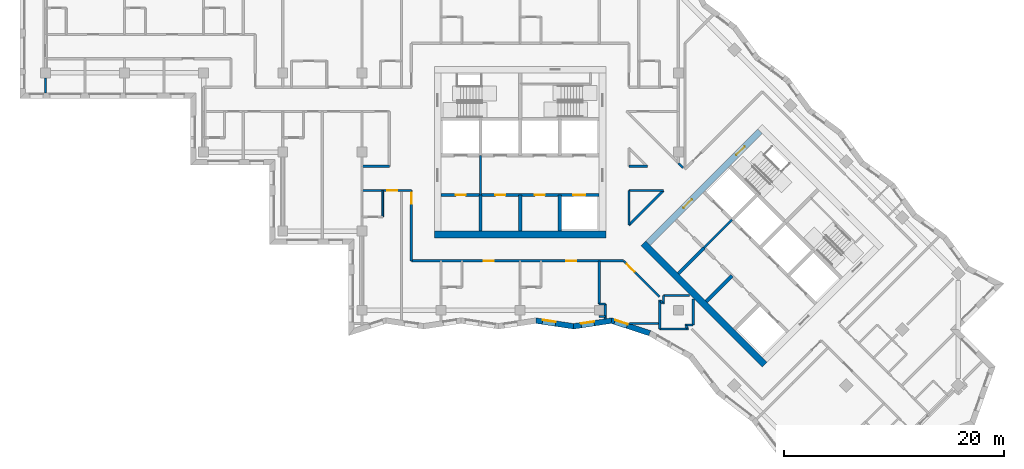
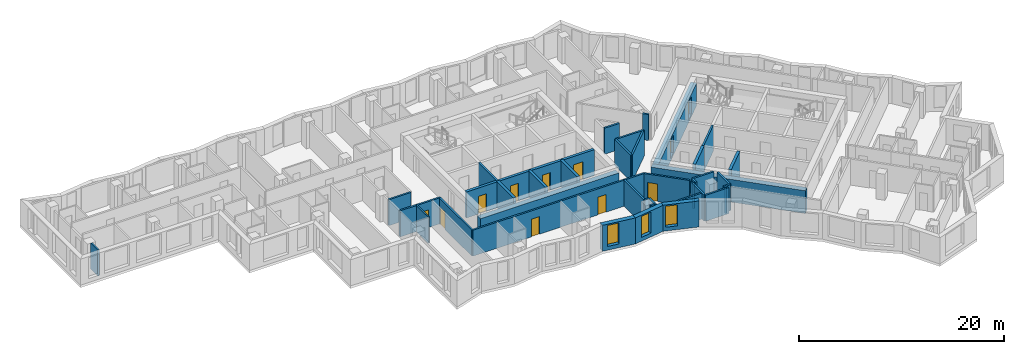
# One storey, part 3 of 12: 39 walls, 11 doors, 3 windows, 14 openings.
"""IFC4 building model written with IfcOpenShell, lengths in metres."""

from ifc_helpers import new_model, si_unit, direction, frame, frame_2d, origin, place, context, subcontext, project, spatial, polyline, rectangle, outline, extrude, material, layer, layer_set, type_object, element, fill, save


model = new_model("IFC4")

# Units and contexts
model_context = context("Model", 3, precision=1e-05, world=origin(), true_north=direction((0.0, 1.0)))
body_context = subcontext(model_context, "Body", "Model", "MODEL_VIEW")
ifc_project = project(units=[si_unit("LENGTHUNIT", "METRE"), si_unit("AREAUNIT", "SQUARE_METRE"), si_unit("VOLUMEUNIT", "CUBIC_METRE"), si_unit("PLANEANGLEUNIT", "RADIAN"), si_unit("MASSUNIT", "GRAM", prefix="KILO")], contexts=[model_context])

# Site, building, storey
site_placement = place(None, origin())
site = spatial("IfcSite", under=ifc_project, at=site_placement, CompositionType="ELEMENT")
building_placement = place(site_placement, origin())
building = spatial("IfcBuilding", under=site, at=building_placement, Name="Windrow Commons", CompositionType="ELEMENT")
storey_placement = place(building_placement, frame((0.0, 0.0, 159.2)))
storey = spatial("IfcBuildingStorey", under=building, at=storey_placement, Name="L43", CompositionType="ELEMENT", Elevation=159.2)

# Wall, opening, window
ifc_material_1 = material(Name="Brick masonry, red clay brick", Category="masonry")
ifc_layer_1 = layer(ifc_material_1, 0.5)
ifc_layer_set_1 = layer_set([ifc_layer_1], Name="Brick facade wall 500")
wall_type_1 = type_object("IfcWallType", Name="Brick facade wall 500", PredefinedType="SOLIDWALL", material=ifc_layer_set_1)
wall_1_placement = place(storey_placement, frame((66.2596, 42.2528, 0.0), z_axis=(0.0, 0.0, 1.0), x_axis=(0.9889272091, -0.1484013984, 0.0)))
wall_1 = element("IfcWall", 1, at=wall_1_placement, inside=storey, type_object=wall_type_1, Name="Brick facade wall L43 47", PredefinedType="SOLIDWALL", context=body_context, shape_type="SweptSolid", body=[
    extrude(outline(polyline([(0.0375, -0.25), (3.4876, -0.25), (3.4126, 0.25), (-0.0375, 0.25), (0.0375, -0.25)])), origin(), (0.0, 0.0, 1.0), 3.1),
])
opening_1_placement = place(wall_1_placement, frame((0.5822, 0.0, 0.45)))
opening_1 = element("IfcOpeningElement", 2, at=opening_1_placement, cuts=wall_1, Name="Opening W7E", PredefinedType="OPENING", context=body_context, shape_type="SweptSolid", body=[
    extrude(rectangle(XDim=1.2, YDim=2.5, at=frame_2d((0.6, 1.25))), frame((0.0, 0.26, 0.0), z_axis=(0.0, -1.0, 0.0), x_axis=(1.0, 0.0, 0.0)), (0.0, 0.0, 1.0), 0.52),
])
ifc_material_2 = material(Name="Clear float glass in anodised aluminium frame", Category="aluminium")
window_type = type_object("IfcWindowType", Name="Window W7 notch 1200x2500", PartitioningType="SINGLE_PANEL", PredefinedType="WINDOW", material=ifc_material_2)
window_1_placement = place(opening_1_placement, origin())
window_1 = element("IfcWindow", 3, at=window_1_placement, inside=storey, type_object=window_type, Name="Window L43 47.1", OverallHeight=2.5, OverallWidth=1.2, PartitioningType="SINGLE_PANEL", PredefinedType="WINDOW", context=body_context, shape_type="SweptSolid", body=[
    extrude(rectangle(XDim=1.2, YDim=2.5, at=frame_2d((0.6, 1.25))), frame((0.0, 0.18, 0.0), z_axis=(0.0, -1.0, 0.0), x_axis=(1.0, 0.0, 0.0)), (0.0, 0.0, 1.0), 0.06),
])
fill(opening_1, window_1)

wall_2_placement = place(storey_placement, frame((69.6715, 41.7408, 0.0), z_axis=(0.0, 0.0, 1.0), x_axis=(0.9889270545, 0.1484024288, 0.0)))
wall_2 = element("IfcWall", 4, at=wall_2_placement, inside=storey, type_object=wall_type_1, Name="Brick facade wall L43 48", PredefinedType="SOLIDWALL", context=body_context, shape_type="SweptSolid", body=[
    extrude(outline(polyline([(-0.0375, -0.25), (3.4126, -0.25), (3.5307, 0.25), (0.0375, 0.25), (-0.0375, -0.25)])), origin(), (0.0, 0.0, 1.0), 3.1),
])
opening_2_placement = place(wall_2_placement, frame((0.6961, 0.0, 0.45)))
opening_2 = element("IfcOpeningElement", 5, at=opening_2_placement, cuts=wall_2, Name="Opening W7E", PredefinedType="OPENING", context=body_context, shape_type="SweptSolid", body=[
    extrude(rectangle(XDim=1.2, YDim=2.5, at=frame_2d((0.6, 1.25))), frame((0.0, 0.26, 0.0), z_axis=(0.0, -1.0, 0.0), x_axis=(1.0, 0.0, 0.0)), (0.0, 0.0, 1.0), 0.52),
])
window_2_placement = place(opening_2_placement, origin())
window_2 = element("IfcWindow", 6, at=window_2_placement, inside=storey, type_object=window_type, Name="Window L43 48.1", OverallHeight=2.5, OverallWidth=1.2, PartitioningType="SINGLE_PANEL", PredefinedType="WINDOW", context=body_context, shape_type="SweptSolid", body=[
    extrude(rectangle(XDim=1.2, YDim=2.5, at=frame_2d((0.6, 1.25))), frame((0.0, 0.18, 0.0), z_axis=(0.0, -1.0, 0.0), x_axis=(1.0, 0.0, 0.0)), (0.0, 0.0, 1.0), 0.06),
])
fill(opening_2, window_2)

wall_3_placement = place(storey_placement, frame((73.1047, 42.256, 0.0), z_axis=(0.0, 0.0, 1.0), x_axis=(0.9507748373, -0.3098825725, 0.0)))
wall_3 = element("IfcWall", 7, at=wall_3_placement, inside=storey, type_object=wall_type_1, Name="Brick facade wall L43 49", PredefinedType="SOLIDWALL", context=body_context, shape_type="SweptSolid", body=[
    extrude(outline(polyline([(0.0591, -0.25), (3.6476, -0.25), (3.6984, 0.25), (-0.0591, 0.25), (0.0591, -0.25)])), origin(), (0.0, 0.0, 1.0), 3.1),
])
opening_3_placement = place(wall_3_placement, frame((0.3122, 0.0, 0.45)))
opening_3 = element("IfcOpeningElement", 8, at=opening_3_placement, cuts=wall_3, Name="Opening W7E", PredefinedType="OPENING", context=body_context, shape_type="SweptSolid", body=[
    extrude(rectangle(XDim=1.2, YDim=2.5, at=frame_2d((0.6, 1.25))), frame((0.0, 0.26, 0.0), z_axis=(0.0, -1.0, 0.0), x_axis=(1.0, 0.0, 0.0)), (0.0, 0.0, 1.0), 0.52),
])
window_3_placement = place(opening_3_placement, origin())
window_3 = element("IfcWindow", 9, at=window_3_placement, inside=storey, type_object=window_type, Name="Window L43 49.1", OverallHeight=2.5, OverallWidth=1.2, PartitioningType="SINGLE_PANEL", PredefinedType="WINDOW", context=body_context, shape_type="SweptSolid", body=[
    extrude(rectangle(XDim=1.2, YDim=2.5, at=frame_2d((0.6, 1.25))), frame((0.0, 0.18, 0.0), z_axis=(0.0, -1.0, 0.0), x_axis=(1.0, 0.0, 0.0)), (0.0, 0.0, 1.0), 0.06),
])
fill(opening_3, window_3)

# Walls
ifc_material_3 = material(Name="Blockwork partition", Category="masonry")
ifc_layer_2 = layer(ifc_material_3, 0.2)
ifc_layer_set_2 = layer_set([ifc_layer_2], Name="Fire lobby partition 200")
wall_type_2 = type_object("IfcWallType", Name="Fire lobby partition 200", PredefinedType="PARTITIONING", material=ifc_layer_set_2)
for number, where, z_axis, x_axis, name in (
    (10, (61.2, 53.7, 0.0), (0.0, 0.0, 1.0), (0.0, 1.0, 0.0), "W-core-lobby-A-L43"),
    (11, (81.5335, 48.8776, 0.0), (0.0, 0.0, 1.0), (0.707092892, 0.7071206701, 0.0), "W-core-lobby-B-L43"),
):
    element("IfcWall", number, at=place(storey_placement, frame(where, z_axis=z_axis, x_axis=x_axis)), inside=storey, type_object=wall_type_2, Name=name, PredefinedType="PARTITIONING", context=body_context, shape_type="SweptSolid", body=[
        extrude(rectangle(XDim=3.6, YDim=0.2, at=frame_2d((1.8, 0.0))), origin(), (0.0, 0.0, 1.0), 3.1),
    ])

# Wall, openings, doors
ifc_material_4 = material(Name="Blockwork partition", Category="masonry")
ifc_layer_3 = layer(ifc_material_4, 0.2)
ifc_layer_set_3 = layer_set([ifc_layer_3], Name="IW-CORRIDOR-200")
wall_type_3 = type_object("IfcWallType", Name="IW-CORRIDOR-200", PredefinedType="PARTITIONING", material=ifc_layer_set_3)
wall_4_placement = place(storey_placement, frame((54.9, 47.7, 0.0), z_axis=(0.0, 0.0, 1.0), x_axis=(1.0, 0.0, 0.0)))
wall_4 = element("IfcWall", 12, at=wall_4_placement, inside=storey, type_object=wall_type_3, Name="W-L43-W001", PredefinedType="PARTITIONING", context=body_context, shape_type="SweptSolid", body=[
    extrude(rectangle(XDim=19.326, YDim=0.2, at=frame_2d((9.663, 0.0))), origin(), (0.0, 0.0, 1.0), 3.1),
])
opening_4_placement = place(wall_4_placement, frame((6.5994, 0.0, 0.0)))
opening_4 = element("IfcOpeningElement", 13, at=opening_4_placement, cuts=wall_4, Name="Opening D109F", PredefinedType="OPENING", context=body_context, shape_type="SweptSolid", body=[
    extrude(rectangle(XDim=0.9, YDim=2.1, at=frame_2d((0.45, 1.05))), frame((0.0, 0.11, 0.0), z_axis=(0.0, -1.0, 0.0), x_axis=(1.0, 0.0, 0.0)), (0.0, 0.0, 1.0), 0.22),
])
opening_5_placement = place(wall_4_placement, frame((14.1006, 0.0, 0.0)))
opening_5 = element("IfcOpeningElement", 14, at=opening_5_placement, cuts=wall_4, Name="Opening D109F", PredefinedType="OPENING", context=body_context, shape_type="SweptSolid", body=[
    extrude(rectangle(XDim=0.9, YDim=2.1, at=frame_2d((0.45, 1.05))), frame((0.0, 0.11, 0.0), z_axis=(0.0, -1.0, 0.0), x_axis=(1.0, 0.0, 0.0)), (0.0, 0.0, 1.0), 0.22),
])
ifc_material_5 = material(Name="Timber door leaf", Category="wood")
door_type_1 = type_object("IfcDoorType", Name="DT-BEDROOM-900", OperationType="SINGLE_SWING_LEFT", PredefinedType="DOOR", material=ifc_material_5)
door_1_placement = place(opening_4_placement, origin())
door_1 = element("IfcDoor", 15, at=door_1_placement, inside=storey, type_object=door_type_1, Name="D-L43-D031", OperationType="SINGLE_SWING_LEFT", OverallHeight=2.1, OverallWidth=0.9, PredefinedType="DOOR", context=body_context, shape_type="SweptSolid", body=[
    extrude(rectangle(XDim=0.9, YDim=2.1, at=frame_2d((0.45, 1.05))), frame((0.0, 0.025, 0.0), z_axis=(0.0, -1.0, 0.0), x_axis=(1.0, 0.0, 0.0)), (0.0, 0.0, 1.0), 0.05),
])
fill(opening_4, door_1)
door_2_placement = place(opening_5_placement, origin())
door_2 = element("IfcDoor", 16, at=door_2_placement, inside=storey, type_object=door_type_1, Name="D-L43-D033", OperationType="SINGLE_SWING_LEFT", OverallHeight=2.1, OverallWidth=0.9, PredefinedType="DOOR", context=body_context, shape_type="SweptSolid", body=[
    extrude(rectangle(XDim=0.9, YDim=2.1, at=frame_2d((0.45, 1.05))), frame((0.0, 0.025, 0.0), z_axis=(0.0, -1.0, 0.0), x_axis=(1.0, 0.0, 0.0)), (0.0, 0.0, 1.0), 0.05),
])
fill(opening_5, door_2)

# Wall, opening, door
wall_5_placement = place(storey_placement, frame((54.9, 47.7, 0.0), z_axis=(0.0, 0.0, 1.0), x_axis=(0.0, 1.0, 0.0)))
wall_5 = element("IfcWall", 17, at=wall_5_placement, inside=storey, type_object=wall_type_3, Name="W-L43-W020", PredefinedType="PARTITIONING", context=body_context, shape_type="SweptSolid", body=[
    extrude(rectangle(XDim=6.4, YDim=0.2, at=frame_2d((3.2, 0.0))), origin(), (0.0, 0.0, 1.0), 3.1),
])
opening_6_placement = place(wall_5_placement, frame((5.1985, 0.0, 0.0)))
opening_6 = element("IfcOpeningElement", 18, at=opening_6_placement, cuts=wall_5, Name="Opening D310F", PredefinedType="OPENING", context=body_context, shape_type="SweptSolid", body=[
    extrude(rectangle(XDim=1.0, YDim=2.1, at=frame_2d((0.5, 1.05))), frame((0.0, 0.11, 0.0), z_axis=(0.0, -1.0, 0.0), x_axis=(1.0, 0.0, 0.0)), (0.0, 0.0, 1.0), 0.22),
])
ifc_material_6 = material(Name="Timber door leaf", Category="wood")
door_type_2 = type_object("IfcDoorType", Name="DT-AMENITY-1000", OperationType="SINGLE_SWING_LEFT", PredefinedType="DOOR", material=ifc_material_6)
door_3_placement = place(opening_6_placement, origin())
door_3 = element("IfcDoor", 19, at=door_3_placement, inside=storey, type_object=door_type_2, Name="D-L43-D028", OperationType="SINGLE_SWING_RIGHT", OverallHeight=2.1, OverallWidth=1.0, PredefinedType="DOOR", context=body_context, shape_type="SweptSolid", body=[
    extrude(rectangle(XDim=1.0, YDim=2.1, at=frame_2d((0.5, 1.05))), frame((0.0, 0.025, 0.0), z_axis=(0.0, -1.0, 0.0), x_axis=(1.0, 0.0, 0.0)), (0.0, 0.0, 1.0), 0.05),
])
fill(opening_6, door_3)

wall_6_placement = place(storey_placement, frame((74.2227, 47.6967, 0.0), z_axis=(0.0, 0.0, 1.0), x_axis=(0.7071067812, -0.7071067812, 0.0)))
wall_6 = element("IfcWall", 20, at=wall_6_placement, inside=storey, type_object=wall_type_3, Name="W-L43-W033", PredefinedType="PARTITIONING", context=body_context, shape_type="SweptSolid", body=[
    extrude(rectangle(XDim=4.6301, YDim=0.2, at=frame_2d((2.315, 0.0))), origin(), (0.0, 0.0, 1.0), 3.1),
])
opening_7_placement = place(wall_6_placement, frame((0.4008, 0.0, 0.0)))
opening_7 = element("IfcOpeningElement", 21, at=opening_7_placement, cuts=wall_6, Name="Opening D310F", PredefinedType="OPENING", context=body_context, shape_type="SweptSolid", body=[
    extrude(rectangle(XDim=1.0, YDim=2.1, at=frame_2d((0.5, 1.05))), frame((0.0, 0.11, 0.0), z_axis=(0.0, -1.0, 0.0), x_axis=(1.0, 0.0, 0.0)), (0.0, 0.0, 1.0), 0.22),
])
door_4_placement = place(opening_7_placement, origin())
door_4 = element("IfcDoor", 22, at=door_4_placement, inside=storey, type_object=door_type_2, Name="D-L43-D035", OperationType="SINGLE_SWING_LEFT", OverallHeight=2.1, OverallWidth=1.0, PredefinedType="DOOR", context=body_context, shape_type="SweptSolid", body=[
    extrude(rectangle(XDim=1.0, YDim=2.1, at=frame_2d((0.5, 1.05))), frame((0.0, 0.025, 0.0), z_axis=(0.0, -1.0, 0.0), x_axis=(1.0, 0.0, 0.0)), (0.0, 0.0, 1.0), 0.05),
])
fill(opening_7, door_4)

wall_7_placement = place(storey_placement, frame((50.4, 54.1, 0.0), z_axis=(0.0, 0.0, 1.0), x_axis=(1.0, 0.0, 0.0)))
wall_7 = element("IfcWall", 23, at=wall_7_placement, inside=storey, type_object=wall_type_3, Name="W-L43-W037", PredefinedType="PARTITIONING", context=body_context, shape_type="SweptSolid", body=[
    extrude(rectangle(XDim=4.5, YDim=0.2, at=frame_2d((2.25, 0.0))), origin(), (0.0, 0.0, 1.0), 3.1),
])
opening_8_placement = place(wall_7_placement, frame((2.3, 0.0, 0.0)))
opening_8 = element("IfcOpeningElement", 24, at=opening_8_placement, cuts=wall_7, Name="Opening D109S", PredefinedType="OPENING", context=body_context, shape_type="SweptSolid", body=[
    extrude(rectangle(XDim=0.9, YDim=2.1, at=frame_2d((0.45, 1.05))), frame((0.0, 0.11, 0.0), z_axis=(0.0, -1.0, 0.0), x_axis=(1.0, 0.0, 0.0)), (0.0, 0.0, 1.0), 0.22),
])
door_5_placement = place(opening_8_placement, origin())
door_5 = element("IfcDoor", 25, at=door_5_placement, inside=storey, type_object=door_type_1, Name="D-L43-D026", OperationType="SINGLE_SWING_LEFT", OverallHeight=2.1, OverallWidth=0.9, PredefinedType="DOOR", context=body_context, shape_type="SweptSolid", body=[
    extrude(rectangle(XDim=0.9, YDim=2.1, at=frame_2d((0.45, 1.05))), frame((0.0, 0.025, 0.0), z_axis=(0.0, -1.0, 0.0), x_axis=(1.0, 0.0, 0.0)), (0.0, 0.0, 1.0), 0.05),
])
fill(opening_8, door_5)

# Walls
wall_8_placement = place(storey_placement, frame((74.7013, 50.9567, 0.0), z_axis=(0.0, 0.0, 1.0), x_axis=(0.7071067812, 0.7071067812, 0.0)))
element("IfcWall", 26, at=wall_8_placement, inside=storey, type_object=wall_type_3, Name="W-L43-W039", PredefinedType="PARTITIONING", context=body_context, shape_type="SweptSolid", body=[
    extrude(rectangle(XDim=4.4435, YDim=0.2, at=frame_2d((2.2218, 0.0))), origin(), (0.0, 0.0, 1.0), 3.1),
])
wall_9_placement = place(storey_placement, frame((74.7, 50.956, 0.0), z_axis=(0.0, 0.0, 1.0), x_axis=(0.0, 1.0, 0.0)))
element("IfcWall", 27, at=wall_9_placement, inside=storey, type_object=wall_type_3, Name="W-L43-W051", PredefinedType="PARTITIONING", context=body_context, shape_type="SweptSolid", body=[
    extrude(rectangle(XDim=3.144, YDim=0.2, at=frame_2d((1.572, 0.0))), origin(), (0.0, 0.0, 1.0), 3.1),
])
wall_10_placement = place(storey_placement, frame((74.702, 54.1, 0.0), z_axis=(0.0, 0.0, 1.0), x_axis=(1.0, 0.0, 0.0)))
element("IfcWall", 28, at=wall_10_placement, inside=storey, type_object=wall_type_3, Name="W-L43-W052", PredefinedType="PARTITIONING", context=body_context, shape_type="SweptSolid", body=[
    extrude(rectangle(XDim=3.142, YDim=0.2, at=frame_2d((1.571, 0.0))), origin(), (0.0, 0.0, 1.0), 3.1),
])
wall_11_placement = place(storey_placement, frame((50.4, 56.3, 0.0), z_axis=(0.0, 0.0, 1.0), x_axis=(1.0, 0.0, 0.0)))
element("IfcWall", 29, at=wall_11_placement, inside=storey, type_object=wall_type_3, Name="W-L43-W067", PredefinedType="PARTITIONING", context=body_context, shape_type="SweptSolid", body=[
    extrude(rectangle(XDim=2.5, YDim=0.2, at=frame_2d((1.25, 0.0))), origin(), (0.0, 0.0, 1.0), 3.1),
])
for number, where, z_axis, x_axis, name in (
    (30, (80.55, 41.852, 0.0), (0.0, 0.0, 1.0), (0.0, 1.0, 0.0), "W-L43-W103"),
    (31, (77.852, 44.55, 0.0), (0.0, 0.0, 1.0), (1.0, 0.0, 0.0), "W-L43-W104"),
):
    element("IfcWall", number, at=place(storey_placement, frame(where, z_axis=z_axis, x_axis=x_axis)), inside=storey, type_object=wall_type_3, Name=name, PredefinedType="PARTITIONING", context=body_context, shape_type="SweptSolid", body=[
        extrude(rectangle(XDim=2.38, YDim=0.2, at=frame_2d((1.19, 0.0))), origin(), (0.0, 0.0, 1.0), 3.1),
    ])
wall_12_placement = place(storey_placement, frame((74.702, 56.3, 0.0), z_axis=(0.0, 0.0, 1.0), x_axis=(1.0, 0.0, 0.0)))
element("IfcWall", 32, at=wall_12_placement, inside=storey, type_object=wall_type_3, Name="W-L43-W131", PredefinedType="PARTITIONING", context=body_context, shape_type="SweptSolid", body=[
    extrude(rectangle(XDim=1.67, YDim=0.2, at=frame_2d((0.835, 0.0))), origin(), (0.0, 0.0, 1.0), 3.1),
])
for number, where, z_axis, x_axis, name in (
    (33, (77.85, 43.792, 0.0), (0.0, 0.0, 1.0), (0.0, 1.0, 0.0), "W-L43-W155"),
    (34, (79.792, 41.85, 0.0), (0.0, 0.0, 1.0), (1.0, 0.0, 0.0), "W-L43-W156"),
):
    element("IfcWall", number, at=place(storey_placement, frame(where, z_axis=z_axis, x_axis=x_axis)), inside=storey, type_object=wall_type_3, Name=name, PredefinedType="PARTITIONING", context=body_context, shape_type="SweptSolid", body=[
        extrude(rectangle(XDim=0.758, YDim=0.2, at=frame_2d((0.379, 0.0))), origin(), (0.0, 0.0, 1.0), 3.1),
    ])
wall_13_placement = place(storey_placement, frame((79.1982, 56.5842, 0.0), z_axis=(0.0, 0.0, 1.0), x_axis=(0.7054410477, -0.7087685999, 0.0)))
element("IfcWall", 35, at=wall_13_placement, inside=storey, type_object=wall_type_3, Name="W-L43-W165", PredefinedType="PARTITIONING", context=body_context, shape_type="SweptSolid", body=[
    extrude(rectangle(XDim=0.601, YDim=0.2, at=frame_2d((0.3005, 0.0))), origin(), (0.0, 0.0, 1.0), 3.1),
])
for number, where, z_axis, x_axis, name in (
    (36, (79.8812, 41.7553, 0.0), (0.0, 0.0, 1.0), (0.7071067812, -0.7071067812, 0.0), "W-L43-W177"),
    (37, (77.5962, 44.0403, 0.0), (0.0, 0.0, 1.0), (0.7071067812, -0.7071067812, 0.0), "W-L43-W178"),
):
    element("IfcWall", number, at=place(storey_placement, frame(where, z_axis=z_axis, x_axis=x_axis)), inside=storey, type_object=wall_type_3, Name=name, PredefinedType="PARTITIONING", context=body_context, shape_type="SweptSolid", body=[
        extrude(rectangle(XDim=0.225, YDim=0.2, at=frame_2d((0.1125, 0.0))), origin(), (0.0, 0.0, 1.0), 3.1),
    ])
ifc_material_7 = material(Name="Blockwork partition", Category="masonry")
ifc_layer_4 = layer(ifc_material_7, 0.15)
ifc_layer_set_4 = layer_set([ifc_layer_4], Name="IW-ENSUITE-150")
wall_type_4 = type_object("IfcWallType", Name="IW-ENSUITE-150", PredefinedType="PARTITIONING", material=ifc_layer_set_4)
wall_14_placement = place(storey_placement, frame((52.3, 51.7, 0.0), z_axis=(0.0, 0.0, 1.0), x_axis=(0.0, 1.0, 0.0)))
element("IfcWall", 38, at=wall_14_placement, inside=storey, type_object=wall_type_4, Name="W-L43-W097", PredefinedType="PARTITIONING", context=body_context, shape_type="SweptSolid", body=[
    extrude(rectangle(XDim=2.4, YDim=0.15, at=frame_2d((1.2, 0.0))), origin(), (0.0, 0.0, 1.0), 3.1),
])
ifc_material_8 = material(Name="Blockwork partition", Category="masonry")
ifc_layer_5 = layer(ifc_material_8, 0.2)
ifc_layer_set_5 = layer_set([ifc_layer_5], Name="IW-PARTY-200")
wall_type_5 = type_object("IfcWallType", Name="IW-PARTY-200", PredefinedType="PARTITIONING", material=ifc_layer_set_5)
wall_15_placement = place(storey_placement, frame((72.0, 43.756, 0.0), z_axis=(0.0, 0.0, 1.0), x_axis=(0.0, 1.0, 0.0)))
element("IfcWall", 39, at=wall_15_placement, inside=storey, type_object=wall_type_5, Name="W-L43-W044", PredefinedType="PARTITIONING", context=body_context, shape_type="SweptSolid", body=[
    extrude(rectangle(XDim=3.944, YDim=0.2, at=frame_2d((1.972, 0.0))), origin(), (0.0, 0.0, 1.0), 3.1),
])
wall_16_placement = place(storey_placement, frame((74.7469, 42.0, 0.0), z_axis=(0.0, 0.0, 1.0), x_axis=(1.0, 0.0, 0.0)))
element("IfcWall", 40, at=wall_16_placement, inside=storey, type_object=wall_type_5, Name="W-L43-W063", PredefinedType="PARTITIONING", context=body_context, shape_type="SweptSolid", body=[
    extrude(rectangle(XDim=2.7531, YDim=0.2, at=frame_2d((1.3765, 0.0))), origin(), (0.0, 0.0, 1.0), 3.1),
])
for number, where, z_axis, x_axis, name in (
    (41, (77.5, 41.502, 0.0), (0.0, 0.0, 1.0), (0.0, 1.0, 0.0), "W-L43-W064"),
    (42, (77.502, 41.5, 0.0), (0.0, 0.0, 1.0), (1.0, 0.0, 0.0), "W-L43-W065"),
):
    element("IfcWall", number, at=place(storey_placement, frame(where, z_axis=z_axis, x_axis=x_axis)), inside=storey, type_object=wall_type_5, Name=name, PredefinedType="PARTITIONING", context=body_context, shape_type="SweptSolid", body=[
        extrude(rectangle(XDim=2.64, YDim=0.2, at=frame_2d((1.32, 0.0))), origin(), (0.0, 0.0, 1.0), 3.1),
    ])
wall_17_placement = place(storey_placement, frame((21.6, 62.988, 0.0), z_axis=(0.0, 0.0, 1.0), x_axis=(0.0, 1.0, 0.0)))
element("IfcWall", 43, at=wall_17_placement, inside=storey, type_object=wall_type_5, Name="W-L43-W137", PredefinedType="PARTITIONING", context=body_context, shape_type="SweptSolid", body=[
    extrude(rectangle(XDim=1.362, YDim=0.2, at=frame_2d((0.681, 0.0))), origin(), (0.0, 0.0, 1.0), 3.1),
])
wall_18_placement = place(storey_placement, frame((72.55, 42.4256, 0.0), z_axis=(0.0, 0.0, 1.0), x_axis=(0.0, 1.0, 0.0)))
element("IfcWall", 44, at=wall_18_placement, inside=storey, type_object=wall_type_5, Name="W-L43-W141", PredefinedType="PARTITIONING", context=body_context, shape_type="SweptSolid", body=[
    extrude(rectangle(XDim=1.3304, YDim=0.2, at=frame_2d((0.6652, 0.0))), origin(), (0.0, 0.0, 1.0), 3.1),
])
for number, where, z_axis, x_axis, name in (
    (45, (72.0, 43.76, 0.0), (0.0, 0.0, 1.0), (1.0, 0.0, 0.0), "W-L43-W172"),
    (46, (72.0, 42.64, 0.0), (0.0, 0.0, 1.0), (1.0, 0.0, 0.0), "W-L43-W173"),
):
    element("IfcWall", number, at=place(storey_placement, frame(where, z_axis=z_axis, x_axis=x_axis)), inside=storey, type_object=wall_type_5, Name=name, PredefinedType="PARTITIONING", context=body_context, shape_type="SweptSolid", body=[
        extrude(rectangle(XDim=0.55, YDim=0.2, at=frame_2d((0.275, 0.0))), origin(), (0.0, 0.0, 1.0), 3.1),
    ])
ifc_material_9 = material(Name="Concrete C50/60", Category="concrete")
ifc_layer_6 = layer(ifc_material_9, 0.6)
ifc_layer_set_6 = layer_set([ifc_layer_6], Name="RC CORE WALL 600 C50/60")
wall_type_6 = type_object("IfcWallType", Name="RC CORE WALL 600 C50/60", PredefinedType="SHEAR", material=ifc_layer_set_6)
for number, where, z_axis, x_axis, name in (
    (47, (57.0, 50.1, -0.3), (0.0, 0.0, 1.0), (1.0, 0.0, 0.0), "Core A wall outer-S"),
    (48, (76.018, 49.3019, -0.3), (0.0, 0.0, 1.0), (0.7071067812, -0.7071067812, 0.0), "Core B wall outer-S"),
):
    element("IfcWall", number, at=place(storey_placement, frame(where, z_axis=z_axis, x_axis=x_axis)), inside=storey, type_object=wall_type_6, Name=name, PredefinedType="SHEAR", context=body_context, shape_type="SweptSolid", body=[
        extrude(rectangle(XDim=15.6, YDim=0.6, at=frame_2d((7.8, 0.0))), origin(), (0.0, 0.0, 1.0), 2.7),
    ])

# Wall, openings, doors
wall_19_placement = place(storey_placement, frame((76.4423, 49.3019, -0.3), z_axis=(0.0, 0.0, 1.0), x_axis=(0.7071067812, 0.7071067812, 0.0)))
wall_19 = element("IfcWall", 49, at=wall_19_placement, inside=storey, type_object=wall_type_6, Name="Core B wall outer-W", PredefinedType="SHEAR", context=body_context, shape_type="SweptSolid", body=[
    extrude(rectangle(XDim=14.3999, YDim=0.6, at=frame_2d((7.2, 0.0))), origin(), (0.0, 0.0, 1.0), 2.7),
])
opening_9_placement = place(wall_19_placement, frame((4.55, 0.0, 0.3)))
opening_9 = element("IfcOpeningElement", 50, at=opening_9_placement, cuts=wall_19, Name="Opening D6", PredefinedType="OPENING", context=body_context, shape_type="SweptSolid", body=[
    extrude(rectangle(XDim=1.1, YDim=2.1, at=frame_2d((0.55, 1.05))), frame((0.0, 0.31, 0.0), z_axis=(0.0, -1.0, 0.0), x_axis=(1.0, 0.0, 0.0)), (0.0, 0.0, 1.0), 0.62),
])
opening_10_placement = place(wall_19_placement, frame((11.35, 0.0, 0.3)))
opening_10 = element("IfcOpeningElement", 51, at=opening_10_placement, cuts=wall_19, Name="Opening D7", PredefinedType="OPENING", context=body_context, shape_type="SweptSolid", body=[
    extrude(rectangle(XDim=1.1, YDim=2.1, at=frame_2d((0.55, 1.05))), frame((0.0, 0.31, 0.0), z_axis=(0.0, -1.0, 0.0), x_axis=(1.0, 0.0, 0.0)), (0.0, 0.0, 1.0), 0.62),
])
ifc_material_10 = material(Name="Steel fire door leaf", Category="steel")
door_type_3 = type_object("IfcDoorType", Name="Core lobby door 1100", OperationType="SINGLE_SWING_LEFT", PredefinedType="DOOR", material=ifc_material_10)
door_6_placement = place(opening_9_placement, origin())
door_6 = element("IfcDoor", 52, at=door_6_placement, inside=storey, type_object=door_type_3, Name="Lift lobby door", OperationType="DOUBLE_DOOR_SINGLE_SWING", OverallHeight=2.1, OverallWidth=1.1, PredefinedType="DOOR", context=body_context, shape_type="SweptSolid", body=[
    extrude(rectangle(XDim=1.1, YDim=2.1, at=frame_2d((0.55, 1.05))), frame((0.0, 0.025, 0.0), z_axis=(0.0, -1.0, 0.0), x_axis=(1.0, 0.0, 0.0)), (0.0, 0.0, 1.0), 0.05),
])
fill(opening_9, door_6)
ifc_material_11 = material(Name="Steel fire door leaf", Category="steel")
door_type_4 = type_object("IfcDoorType", Name="Stair door 1100", OperationType="SINGLE_SWING_LEFT", PredefinedType="DOOR", material=ifc_material_11)
door_7_placement = place(opening_10_placement, origin())
door_7 = element("IfcDoor", 53, at=door_7_placement, inside=storey, type_object=door_type_4, Name="Stair door", OperationType="SINGLE_SWING_LEFT", OverallHeight=2.1, OverallWidth=1.1, PredefinedType="DOOR", context=body_context, shape_type="SweptSolid", body=[
    extrude(rectangle(XDim=1.1, YDim=2.1, at=frame_2d((0.55, 1.05))), frame((0.0, 0.025, 0.0), z_axis=(0.0, -1.0, 0.0), x_axis=(1.0, 0.0, 0.0)), (0.0, 0.0, 1.0), 0.05),
])
fill(opening_10, door_7)

# Walls
ifc_material_12 = material(Name="Concrete C50/60", Category="concrete")
ifc_layer_7 = layer(ifc_material_12, 0.3)
ifc_layer_set_7 = layer_set([ifc_layer_7], Name="RC SHAFT WALL 300 C50/60")
wall_type_7 = type_object("IfcWallType", Name="RC SHAFT WALL 300 C50/60", PredefinedType="SOLIDWALL", material=ifc_layer_set_7)
for number, where, z_axis, x_axis, name in (
    (54, (61.2, 50.4, 0.0), (0.0, 0.0, 1.0), (0.0, 1.0, 0.0), "Core A wall shaft-S1"),
    (55, (64.8, 50.4, 0.0), (0.0, 0.0, 1.0), (0.0, 1.0, 0.0), "Core A wall shaft-S2"),
    (56, (68.4, 50.4, 0.0), (0.0, 0.0, 1.0), (0.0, 1.0, 0.0), "Core A wall shaft-S3"),
):
    element("IfcWall", number, at=place(storey_placement, frame(where, z_axis=z_axis, x_axis=x_axis)), inside=storey, type_object=wall_type_7, Name=name, PredefinedType="SOLIDWALL", context=body_context, shape_type="SweptSolid", body=[
        extrude(rectangle(XDim=3.3, YDim=0.3, at=frame_2d((1.65, 0.0))), origin(), (0.0, 0.0, 1.0), 3.1),
    ])

# Wall, openings, doors
wall_20_placement = place(storey_placement, frame((57.6, 53.7, 0.0), z_axis=(0.0, 0.0, 1.0), x_axis=(1.0, 0.0, 0.0)))
wall_20 = element("IfcWall", 57, at=wall_20_placement, inside=storey, type_object=wall_type_7, Name="Core A wall lobby-S", PredefinedType="SOLIDWALL", context=body_context, shape_type="SweptSolid", body=[
    extrude(rectangle(XDim=14.4, YDim=0.3, at=frame_2d((7.2, 0.0))), origin(), (0.0, 0.0, 1.0), 3.1),
])
opening_11_placement = place(wall_20_placement, frame((1.35, 0.0, 0.0)))
opening_11 = element("IfcOpeningElement", 58, at=opening_11_placement, cuts=wall_20, Name="Opening D8", PredefinedType="OPENING", context=body_context, shape_type="SweptSolid", body=[
    extrude(rectangle(XDim=0.9, YDim=2.1, at=frame_2d((0.45, 1.05))), frame((0.0, 0.16, 0.0), z_axis=(0.0, -1.0, 0.0), x_axis=(1.0, 0.0, 0.0)), (0.0, 0.0, 1.0), 0.32),
])
opening_12_placement = place(wall_20_placement, frame((4.95, 0.0, 0.0)))
opening_12 = element("IfcOpeningElement", 59, at=opening_12_placement, cuts=wall_20, Name="Opening D8", PredefinedType="OPENING", context=body_context, shape_type="SweptSolid", body=[
    extrude(rectangle(XDim=0.9, YDim=2.1, at=frame_2d((0.45, 1.05))), frame((0.0, 0.16, 0.0), z_axis=(0.0, -1.0, 0.0), x_axis=(1.0, 0.0, 0.0)), (0.0, 0.0, 1.0), 0.32),
])
opening_13_placement = place(wall_20_placement, frame((8.55, 0.0, 0.0)))
opening_13 = element("IfcOpeningElement", 60, at=opening_13_placement, cuts=wall_20, Name="Opening D8", PredefinedType="OPENING", context=body_context, shape_type="SweptSolid", body=[
    extrude(rectangle(XDim=0.9, YDim=2.1, at=frame_2d((0.45, 1.05))), frame((0.0, 0.16, 0.0), z_axis=(0.0, -1.0, 0.0), x_axis=(1.0, 0.0, 0.0)), (0.0, 0.0, 1.0), 0.32),
])
opening_14_placement = place(wall_20_placement, frame((12.05, 0.0, 0.0)))
opening_14 = element("IfcOpeningElement", 61, at=opening_14_placement, cuts=wall_20, Name="Opening LD", PredefinedType="OPENING", context=body_context, shape_type="SweptSolid", body=[
    extrude(rectangle(XDim=1.1, YDim=2.1, at=frame_2d((0.55, 1.05))), frame((0.0, 0.16, 0.0), z_axis=(0.0, -1.0, 0.0), x_axis=(1.0, 0.0, 0.0)), (0.0, 0.0, 1.0), 0.32),
])
ifc_material_13 = material(Name="Steel fire door leaf", Category="steel")
door_type_5 = type_object("IfcDoorType", Name="Core store door 900", OperationType="SINGLE_SWING_LEFT", PredefinedType="DOOR", material=ifc_material_13)
door_8_placement = place(opening_11_placement, origin())
door_8 = element("IfcDoor", 62, at=door_8_placement, inside=storey, type_object=door_type_5, Name="Store door", OperationType="SINGLE_SWING_LEFT", OverallHeight=2.1, OverallWidth=0.9, PredefinedType="DOOR", context=body_context, shape_type="SweptSolid", body=[
    extrude(rectangle(XDim=0.9, YDim=2.1, at=frame_2d((0.45, 1.05))), frame((0.0, 0.025, 0.0), z_axis=(0.0, -1.0, 0.0), x_axis=(1.0, 0.0, 0.0)), (0.0, 0.0, 1.0), 0.05),
])
fill(opening_11, door_8)
door_9_placement = place(opening_12_placement, origin())
door_9 = element("IfcDoor", 63, at=door_9_placement, inside=storey, type_object=door_type_5, Name="Store door", OperationType="SINGLE_SWING_LEFT", OverallHeight=2.1, OverallWidth=0.9, PredefinedType="DOOR", context=body_context, shape_type="SweptSolid", body=[
    extrude(rectangle(XDim=0.9, YDim=2.1, at=frame_2d((0.45, 1.05))), frame((0.0, 0.025, 0.0), z_axis=(0.0, -1.0, 0.0), x_axis=(1.0, 0.0, 0.0)), (0.0, 0.0, 1.0), 0.05),
])
fill(opening_12, door_9)
door_10_placement = place(opening_13_placement, origin())
door_10 = element("IfcDoor", 64, at=door_10_placement, inside=storey, type_object=door_type_5, Name="Store door", OperationType="SINGLE_SWING_LEFT", OverallHeight=2.1, OverallWidth=0.9, PredefinedType="DOOR", context=body_context, shape_type="SweptSolid", body=[
    extrude(rectangle(XDim=0.9, YDim=2.1, at=frame_2d((0.45, 1.05))), frame((0.0, 0.025, 0.0), z_axis=(0.0, -1.0, 0.0), x_axis=(1.0, 0.0, 0.0)), (0.0, 0.0, 1.0), 0.05),
])
fill(opening_13, door_10)
ifc_material_14 = material(Name="Stainless steel door leaf", Category="steel")
door_type_6 = type_object("IfcDoorType", Name="Lift landing door 1100", OperationType="SLIDING_TO_LEFT", PredefinedType="DOOR", material=ifc_material_14)
door_11_placement = place(opening_14_placement, origin())
door_11 = element("IfcDoor", 65, at=door_11_placement, inside=storey, type_object=door_type_6, Name="Lift landing door", OperationType="SLIDING_TO_RIGHT", OverallHeight=2.1, OverallWidth=1.1, PredefinedType="DOOR", context=body_context, shape_type="SweptSolid", body=[
    extrude(rectangle(XDim=1.1, YDim=2.1, at=frame_2d((0.55, 1.05))), frame((0.0, 0.025, 0.0), z_axis=(0.0, -1.0, 0.0), x_axis=(1.0, 0.0, 0.0)), (0.0, 0.0, 1.0), 0.05),
])
fill(opening_14, door_11)

# Walls
wall_21_placement = place(storey_placement, frame((79.2, 46.5442, 0.0), z_axis=(0.0, 0.0, 1.0), x_axis=(0.7071219326, 0.7070916295, 0.0)))
element("IfcWall", 66, at=wall_21_placement, inside=storey, type_object=wall_type_7, Name="Core B wall shaft-S1", PredefinedType="SOLIDWALL", context=body_context, shape_type="SweptSolid", body=[
    extrude(rectangle(XDim=3.3, YDim=0.3, at=frame_2d((1.65, 0.0))), origin(), (0.0, 0.0, 1.0), 3.1),
])
wall_22_placement = place(storey_placement, frame((81.7456, 43.9986, 0.0), z_axis=(0.0, 0.0, 1.0), x_axis=(0.7071067812, 0.7071067812, 0.0)))
element("IfcWall", 67, at=wall_22_placement, inside=storey, type_object=wall_type_7, Name="Core B wall shaft-S2", PredefinedType="SOLIDWALL", context=body_context, shape_type="SweptSolid", body=[
    extrude(rectangle(XDim=3.2999, YDim=0.3, at=frame_2d((1.65, 0.0))), origin(), (0.0, 0.0, 1.0), 3.1),
])

save(model, "model.ifc")
